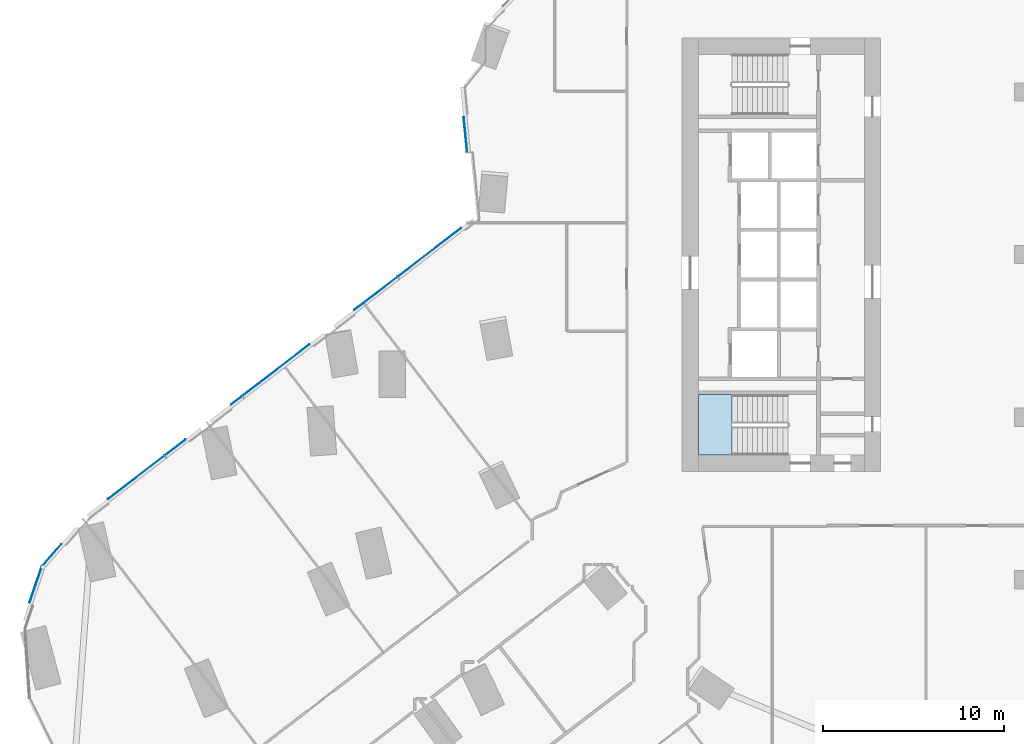
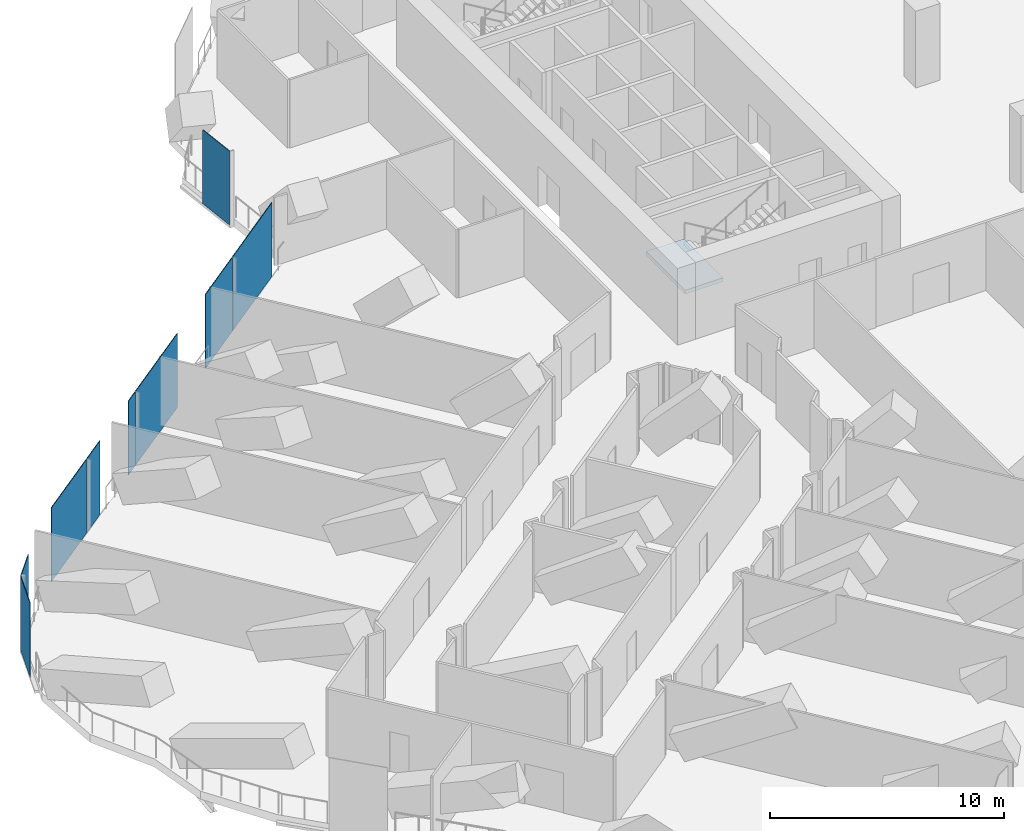
# One storey, part 17 of 32: 9 plates, 1 slab, 5 elements without a shape of their own.
"""IFC4 building model written with IfcOpenShell, lengths in metres."""

from ifc_helpers import new_model, si_unit, direction, frame, origin, origin_2d, place, context, subcontext, project, spatial, polyline, rectangle, outline, extrude, material, layer, layer_set, type_object, element, aggregate, save


model = new_model("IFC4")

# Units and contexts
model_context = context("Model", 3, precision=1e-05, world=origin(), true_north=direction((0.0, 1.0)))
body_context = subcontext(model_context, "Body", "Model", "MODEL_VIEW")
ifc_project = project(units=[si_unit("LENGTHUNIT", "METRE"), si_unit("AREAUNIT", "SQUARE_METRE"), si_unit("VOLUMEUNIT", "CUBIC_METRE"), si_unit("PLANEANGLEUNIT", "RADIAN"), si_unit("MASSUNIT", "GRAM", prefix="KILO")], contexts=[model_context])

# Site, building, storey
site_placement = place(None, origin())
site = spatial("IfcSite", under=ifc_project, at=site_placement, CompositionType="ELEMENT")
building_placement = place(site_placement, origin())
building = spatial("IfcBuilding", under=site, at=building_placement, Name="Orlundy Tower", CompositionType="ELEMENT")
storey_placement = place(building_placement, frame((0.0, 0.0, 33.300048828125)))
storey = spatial("IfcBuildingStorey", under=building, at=storey_placement, Name="L06", CompositionType="ELEMENT", Elevation=33.300048828125)

# Curtain wall, plate
ifc_material_1 = material(Name="Aluminium bronze anodised", Category="aluminium")
curtain_wall_type = type_object("IfcCurtainWallType", Name="CW5 wall", PredefinedType="NOTDEFINED", material=ifc_material_1)
curtain_wall_1_placement = place(storey_placement, origin())
curtain_wall_1 = element("IfcCurtainWall", 1, at=curtain_wall_1_placement, inside=storey, type_object=curtain_wall_type, Name="CW5 run 040", PredefinedType="NOTDEFINED")
ifc_material_2 = material(Name="Tinted glass", Category="glass")
ifc_layer_1 = layer(ifc_material_2, 0.031982421875)
ifc_layer_set_1 = layer_set([ifc_layer_1], Name="CW5 glass panel 32")
plate_type_1 = type_object("IfcPlateType", Name="CW5 glass panel 32", PredefinedType="CURTAIN_PANEL", material=ifc_layer_set_1)
plate_1_placement = place(storey_placement, frame((-54.787109375, -18.259521484375, -0.2802734375), z_axis=(0.0, 0.0, 1.0), x_axis=(0.32132226688, 0.946969904911, 0.0)))
plate_1 = element("IfcPlate", 2, at=plate_1_placement, type_object=plate_type_1, Name="CW5 panel", PredefinedType="CURTAIN_PANEL", context=body_context, shape_type="SweptSolid", body=[
    extrude(rectangle(XDim=2.101806640625, YDim=0.031982421875, at=origin_2d()), origin(), (0.0, 0.0, 1.0), 3.860107421875),
])
aggregate(curtain_wall_1, [plate_1])

curtain_wall_2_placement = place(storey_placement, origin())
curtain_wall_2 = element("IfcCurtainWall", 3, at=curtain_wall_2_placement, inside=storey, type_object=curtain_wall_type, Name="CW5 run 041", PredefinedType="NOTDEFINED")
plate_2_placement = place(storey_placement, frame((-53.90966796875, -16.648681640625, -0.2802734375), z_axis=(0.0, 0.0, 1.0), x_axis=(0.65932547196, 0.751857647447, 0.0)))
plate_2 = element("IfcPlate", 4, at=plate_2_placement, type_object=plate_type_1, Name="CW5 panel", PredefinedType="CURTAIN_PANEL", context=body_context, shape_type="SweptSolid", body=[
    extrude(rectangle(XDim=1.637451171875, YDim=0.031982421875, at=origin_2d()), origin(), (0.0, 0.0, 1.0), 3.860107421875),
])
aggregate(curtain_wall_2, [plate_2])

# Curtain wall, plates
curtain_wall_3_placement = place(storey_placement, origin())
curtain_wall_3 = element("IfcCurtainWall", 5, at=curtain_wall_3_placement, inside=storey, type_object=curtain_wall_type, Name="CW5 run 042", PredefinedType="NOTDEFINED")
plate_3_placement = place(storey_placement, frame((-47.06884765625, -10.675537109375, -0.2802734375), z_axis=(0.0, 0.0, 1.0), x_axis=(0.793346205038, 0.608770727739, 0.0)))
plate_3 = element("IfcPlate", 6, at=plate_3_placement, type_object=plate_type_1, Name="CW5 panel", PredefinedType="CURTAIN_PANEL", context=body_context, shape_type="SweptSolid", body=[
    extrude(rectangle(XDim=1.42578125, YDim=0.031982421875, at=origin_2d()), origin(), (0.0, 0.0, 1.0), 3.860107421875),
])
plate_4_placement = place(storey_placement, frame((-43.6669921875, -8.065185546875, -0.2802734375), z_axis=(0.0, 0.0, 1.0), x_axis=(0.793346205038, 0.608770727739, 0.0)))
plate_4 = element("IfcPlate", 7, at=plate_4_placement, type_object=plate_type_1, Name="CW5 panel", PredefinedType="CURTAIN_PANEL", context=body_context, shape_type="SweptSolid", body=[
    extrude(rectangle(XDim=0.74072265625, YDim=0.031982421875, at=origin_2d()), origin(), (0.0, 0.0, 1.0), 3.860107421875),
])
plate_5_placement = place(storey_placement, frame((-41.477783203125, -6.38525390625, -0.2802734375), z_axis=(0.0, 0.0, 1.0), x_axis=(0.793346205038, 0.608770727739, 0.0)))
plate_5 = element("IfcPlate", 8, at=plate_5_placement, type_object=plate_type_1, Name="CW5 panel", PredefinedType="CURTAIN_PANEL", context=body_context, shape_type="SweptSolid", body=[
    extrude(rectangle(XDim=4.678466796875, YDim=0.031982421875, at=origin_2d()), origin(), (0.0, 0.0, 1.0), 3.860107421875),
])
plate_6_placement = place(storey_placement, frame((-32.98486328125, 0.131591796875, -0.2802734375), z_axis=(0.0, 0.0, 1.0), x_axis=(0.793346205038, 0.608770727739, 0.0)))
plate_6 = element("IfcPlate", 9, at=plate_6_placement, type_object=plate_type_1, Name="CW5 panel", PredefinedType="CURTAIN_PANEL", context=body_context, shape_type="SweptSolid", body=[
    extrude(rectangle(XDim=4.404296875, YDim=0.031982421875, at=origin_2d()), origin(), (0.0, 0.0, 1.0), 3.860107421875),
])
ifc_material_3 = material(Name="Tinted glass", Category="glass")
ifc_layer_2 = layer(ifc_material_3, 0.031982421875)
ifc_layer_set_2 = layer_set([ifc_layer_2], Name="CW5 vent panel 32")
plate_type_2 = type_object("IfcPlateType", Name="CW5 vent panel 32", PredefinedType="CURTAIN_PANEL", material=ifc_layer_set_2)
plate_7_placement = place(storey_placement, frame((-49.230712890625, -12.334716796875, -0.2802734375), z_axis=(0.0, 0.0, 1.0), x_axis=(0.793346205038, 0.608770727739, 0.0)))
plate_7 = element("IfcPlate", 10, at=plate_7_placement, type_object=plate_type_2, Name="CW5 panel", PredefinedType="CURTAIN_PANEL", context=body_context, shape_type="SweptSolid", body=[
    extrude(rectangle(XDim=3.924560546875, YDim=0.031982421875, at=origin_2d()), origin(), (0.0, 0.0, 1.0), 3.860107421875),
])
plate_8_placement = place(storey_placement, frame((-35.962646484375, -2.1533203125, -0.2802734375), z_axis=(0.0, 0.0, 1.0), x_axis=(0.793346205038, 0.608770727739, 0.0)))
plate_8 = element("IfcPlate", 11, at=plate_8_placement, type_object=plate_type_2, Name="CW5 panel", PredefinedType="CURTAIN_PANEL", context=body_context, shape_type="SweptSolid", body=[
    extrude(rectangle(XDim=3.002197265625, YDim=0.031982421875, at=origin_2d()), origin(), (0.0, 0.0, 1.0), 3.860107421875),
])
aggregate(curtain_wall_3, [plate_7, plate_3, plate_4, plate_5, plate_8, plate_6])

# Curtain wall, plate
curtain_wall_4_placement = place(storey_placement, origin())
curtain_wall_4 = element("IfcCurtainWall", 12, at=curtain_wall_4_placement, inside=storey, type_object=curtain_wall_type, Name="CW5 run 043", PredefinedType="NOTDEFINED")
plate_9_placement = place(storey_placement, frame((-30.991455078125, 6.646240234375, -0.2802734375), z_axis=(0.0, 0.0, 1.0), x_axis=(-0.09867306966, 0.995119904998, 0.0)))
plate_9 = element("IfcPlate", 13, at=plate_9_placement, type_object=plate_type_2, Name="CW5 panel", PredefinedType="CURTAIN_PANEL", context=body_context, shape_type="SweptSolid", body=[
    extrude(rectangle(XDim=1.95556640625, YDim=0.031982421875, at=origin_2d()), origin(), (0.0, 0.0, 1.0), 3.860107421875),
])
aggregate(curtain_wall_4, [plate_9])

# Stair, slab
ifc_material_4 = material(Name="Concrete C50/60", Category="concrete")
stair_type = type_object("IfcStairType", Name="Exit Stair 24 risers", PredefinedType="HALF_TURN_STAIR", material=ifc_material_4)
stair_placement = place(storey_placement, origin())
stair = element("IfcStair", 14, at=stair_placement, inside=storey, type_object=stair_type, Name="L06 Exit Stair ST-W2", PredefinedType="HALF_TURN_STAIR")
ifc_material_5 = material(Name="Concrete C50/60", Category="concrete")
ifc_layer_3 = layer(ifc_material_5, 0.199951171875)
ifc_layer_set_3 = layer_set([ifc_layer_3], Name="Exit Stair Landing")
slab_type = type_object("IfcSlabType", Name="Exit Stair Landing", PredefinedType="LANDING", material=ifc_layer_set_3)
slab_placement = place(storey_placement, frame((0.0, 0.0, 1.800048828125)))
slab = element("IfcSlab", 15, at=slab_placement, type_object=slab_type, Name="ST-W2 landing 1", PredefinedType="LANDING", context=body_context, shape_type="SweptSolid", body=[
    extrude(outline(polyline([(-16.219970703125, -7.75), (-18.10009765625, -7.75), (-18.10009765625, -11.10009765625), (-16.219970703125, -11.10009765625), (-16.219970703125, -7.75)])), origin(), (0.0, 0.0, 1.0), 0.199951171875),
])
aggregate(stair, [slab])

save(model, "model.ifc")
